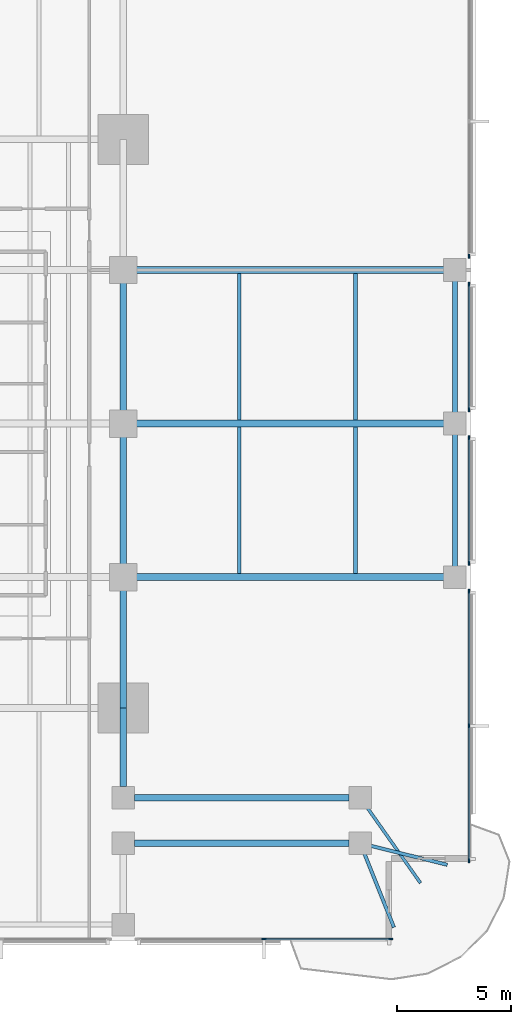
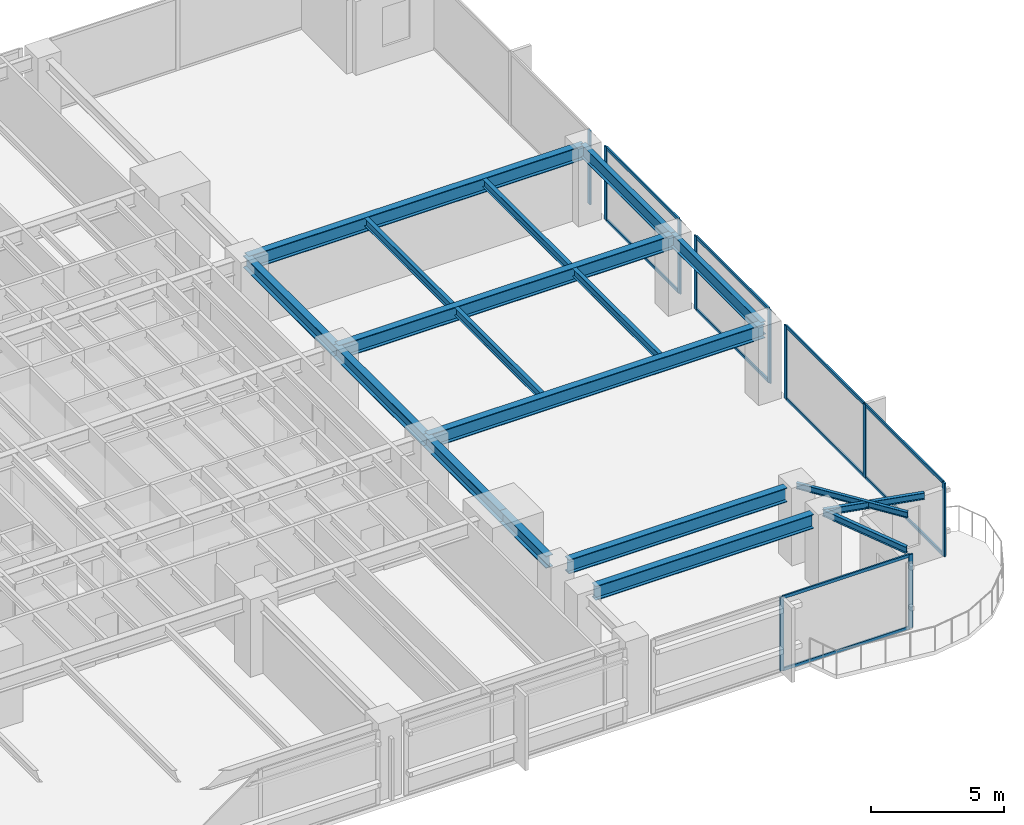
# One storey, part 4 of 15: 20 members, 18 beams, 5 elements without a shape of their own.
"""IFC4 building model written with IfcOpenShell, lengths in metres."""

from ifc_helpers import new_model, si_unit, direction, frame, origin, origin_2d, place, context, subcontext, project, spatial, rectangle, i_section, extrude, material, layer, layer_set, material_profile, profile_set, type_object, element, aggregate, save


model = new_model("IFC4")

# Units and contexts
model_context = context("Model", 3, precision=1e-05, world=origin(), true_north=direction((0.0, 1.0)))
body_context = subcontext(model_context, "Body", "Model", "MODEL_VIEW")
ifc_project = project(units=[si_unit("LENGTHUNIT", "METRE"), si_unit("AREAUNIT", "SQUARE_METRE"), si_unit("VOLUMEUNIT", "CUBIC_METRE"), si_unit("PLANEANGLEUNIT", "RADIAN"), si_unit("MASSUNIT", "GRAM", prefix="KILO")], contexts=[model_context])

# Site, building, storey
site_placement = place(None, origin())
site = spatial("IfcSite", under=ifc_project, at=site_placement, CompositionType="ELEMENT")
building_placement = place(site_placement, origin())
building = spatial("IfcBuilding", under=site, at=building_placement, Name="Kinhvarn Gate Tower", CompositionType="ELEMENT")
storey_placement = place(building_placement, frame((0.0, 0.0, 68.199951171875)))
storey = spatial("IfcBuildingStorey", under=building, at=storey_placement, Name="L17", CompositionType="ELEMENT", Elevation=68.199951171875)

# Curtain wall, members
ifc_material_1 = material(Name="Anodised aluminium AW-6063", Category="aluminium")
ifc_layer = layer(ifc_material_1, 0.179931640625)
ifc_layer_set = layer_set([ifc_layer], Name="Anodised aluminium AW-6063")
curtain_wall_type = type_object("IfcCurtainWallType", Name="CW-SYS-2", PredefinedType="NOTDEFINED", material=ifc_layer_set)
curtain_wall_1_placement = place(storey_placement, origin())
curtain_wall_1 = element("IfcCurtainWall", 1, at=curtain_wall_1_placement, inside=storey, type_object=curtain_wall_type, Name="Curtain Wall CW2 (L17)", PredefinedType="NOTDEFINED")
ifc_material_profile_1 = material_profile(ifc_material_1, rectangle(XDim=0.070068359375, YDim=0.179931640625, at=origin_2d()), Name="ALU 70x180")
ifc_profile_set_1 = profile_set([ifc_material_profile_1], Name="Anodised aluminium AW-6063")
member_type_1 = type_object("IfcMemberType", Name="CW-MUL-180", PredefinedType="MULLION", material=ifc_profile_set_1)
member_1_placement = place(storey_placement, frame((44.389892578125, 2.590087890625, 0.0), z_axis=(0.0, 0.0, 1.0), x_axis=(0.0, 1.0, 0.0)))
member_1 = element("IfcMember", 2, at=member_1_placement, type_object=member_type_1, Name="CW2 mullion 2", PredefinedType="MULLION", context=body_context, shape_type="SweptSolid", body=[
    extrude(rectangle(XDim=0.070068359375, YDim=0.179931640625, at=origin_2d()), origin(), (0.0, 0.0, 1.0), 3.3701171875),
])
member_2_placement = place(storey_placement, frame((49.965087890625, 2.590087890625, 0.0), z_axis=(0.0, 0.0, 1.0), x_axis=(0.0, 1.0, 0.0)))
member_2 = element("IfcMember", 3, at=member_2_placement, type_object=member_type_1, Name="CW2 mullion 3", PredefinedType="MULLION", context=body_context, shape_type="SweptSolid", body=[
    extrude(rectangle(XDim=0.070068359375, YDim=0.179931640625, at=origin_2d()), origin(), (0.0, 0.0, 1.0), 3.3701171875),
])

curtain_wall_2_placement = place(storey_placement, origin())
curtain_wall_2 = element("IfcCurtainWall", 4, at=curtain_wall_2_placement, inside=storey, type_object=curtain_wall_type, Name="Curtain Wall CW2 (L17)", PredefinedType="NOTDEFINED")
member_3_placement = place(storey_placement, frame((53.409912109375, 6.034912109375, 0.0), z_axis=(0.0, 0.0, 1.0), x_axis=(-1.0, 0.0, 0.0)))
member_3 = element("IfcMember", 5, at=member_3_placement, type_object=member_type_1, Name="CW2 mullion 1", PredefinedType="MULLION", context=body_context, shape_type="SweptSolid", body=[
    extrude(rectangle(XDim=0.070068359375, YDim=0.179931640625, at=origin_2d()), origin(), (0.0, 0.0, 1.0), 3.3701171875),
])
member_4_placement = place(storey_placement, frame((53.409912109375, 11.9599609375, 0.0), z_axis=(0.0, 0.0, 1.0), x_axis=(-1.0, 0.0, 0.0)))
member_4 = element("IfcMember", 6, at=member_4_placement, type_object=member_type_1, Name="CW2 mullion 2", PredefinedType="MULLION", context=body_context, shape_type="SweptSolid", body=[
    extrude(rectangle(XDim=0.070068359375, YDim=0.179931640625, at=origin_2d()), origin(), (0.0, 0.0, 1.0), 3.3701171875),
])
member_5_placement = place(storey_placement, frame((53.409912109375, 17.885009765625, 0.0), z_axis=(0.0, 0.0, 1.0), x_axis=(-1.0, 0.0, 0.0)))
member_5 = element("IfcMember", 7, at=member_5_placement, type_object=member_type_1, Name="CW2 mullion 3", PredefinedType="MULLION", context=body_context, shape_type="SweptSolid", body=[
    extrude(rectangle(XDim=0.070068359375, YDim=0.179931640625, at=origin_2d()), origin(), (0.0, 0.0, 1.0), 3.3701171875),
])

curtain_wall_3_placement = place(storey_placement, origin())
curtain_wall_3 = element("IfcCurtainWall", 8, at=curtain_wall_3_placement, inside=storey, type_object=curtain_wall_type, Name="Curtain Wall CW2 (L17)", PredefinedType="NOTDEFINED")
member_6_placement = place(storey_placement, frame((53.409912109375, 19.114990234375, 0.0), z_axis=(0.0, 0.0, 1.0), x_axis=(-1.0, 0.0, 0.0)))
member_6 = element("IfcMember", 9, at=member_6_placement, type_object=member_type_1, Name="CW2 mullion 1", PredefinedType="MULLION", context=body_context, shape_type="SweptSolid", body=[
    extrude(rectangle(XDim=0.070068359375, YDim=0.179931640625, at=origin_2d()), origin(), (0.0, 0.0, 1.0), 3.3701171875),
])
member_7_placement = place(storey_placement, frame((53.409912109375, 24.635009765625, 0.0), z_axis=(0.0, 0.0, 1.0), x_axis=(-1.0, 0.0, 0.0)))
member_7 = element("IfcMember", 10, at=member_7_placement, type_object=member_type_1, Name="CW2 mullion 2", PredefinedType="MULLION", context=body_context, shape_type="SweptSolid", body=[
    extrude(rectangle(XDim=0.070068359375, YDim=0.179931640625, at=origin_2d()), origin(), (0.0, 0.0, 1.0), 3.3701171875),
])

curtain_wall_4_placement = place(storey_placement, origin())
curtain_wall_4 = element("IfcCurtainWall", 11, at=curtain_wall_4_placement, inside=storey, type_object=curtain_wall_type, Name="Curtain Wall CW2 (L17)", PredefinedType="NOTDEFINED")
member_8_placement = place(storey_placement, frame((53.409912109375, 25.864990234375, 0.0), z_axis=(0.0, 0.0, 1.0), x_axis=(-1.0, 0.0, 0.0)))
member_8 = element("IfcMember", 12, at=member_8_placement, type_object=member_type_1, Name="CW2 mullion 1", PredefinedType="MULLION", context=body_context, shape_type="SweptSolid", body=[
    extrude(rectangle(XDim=0.070068359375, YDim=0.179931640625, at=origin_2d()), origin(), (0.0, 0.0, 1.0), 3.3701171875),
])
member_9_placement = place(storey_placement, frame((53.409912109375, 31.385009765625, 0.0), z_axis=(0.0, 0.0, 1.0), x_axis=(-1.0, 0.0, 0.0)))
member_9 = element("IfcMember", 13, at=member_9_placement, type_object=member_type_1, Name="CW2 mullion 2", PredefinedType="MULLION", context=body_context, shape_type="SweptSolid", body=[
    extrude(rectangle(XDim=0.070068359375, YDim=0.179931640625, at=origin_2d()), origin(), (0.0, 0.0, 1.0), 3.3701171875),
])

# Curtain wall, member
curtain_wall_5_placement = place(storey_placement, origin())
curtain_wall_5 = element("IfcCurtainWall", 14, at=curtain_wall_5_placement, inside=storey, type_object=curtain_wall_type, Name="Curtain Wall CW2 (L17)", PredefinedType="NOTDEFINED")
member_10_placement = place(storey_placement, frame((53.409912109375, 32.614990234375, 0.0), z_axis=(0.0, 0.0, 1.0), x_axis=(-1.0, 0.0, 0.0)))
member_10 = element("IfcMember", 15, at=member_10_placement, type_object=member_type_1, Name="CW2 mullion 1", PredefinedType="MULLION", context=body_context, shape_type="SweptSolid", body=[
    extrude(rectangle(XDim=0.070068359375, YDim=0.179931640625, at=origin_2d()), origin(), (0.0, 0.0, 1.0), 3.3701171875),
])
aggregate(curtain_wall_5, [member_10])

# Member
ifc_material_profile_2 = material_profile(ifc_material_1, rectangle(XDim=0.070068359375, YDim=0.139892578125, at=origin_2d()), Name="ALU 70x140")
ifc_profile_set_2 = profile_set([ifc_material_profile_2], Name="Anodised aluminium AW-6063")
member_type_2 = type_object("IfcMemberType", Name="CW-TRN-140", PredefinedType="USERDEFINED", material=ifc_profile_set_2)
member_11_placement = place(storey_placement, frame((44.425048828125, 2.590087890625, 0.03515625), z_axis=(1.0, 0.0, 0.0), x_axis=(0.0, 1.0, 0.0)))
member_11 = element("IfcMember", 16, at=member_11_placement, type_object=member_type_2, Name="CW2 transom 2.1", ObjectType="TRANSOM", PredefinedType="USERDEFINED", context=body_context, shape_type="SweptSolid", body=[
    extrude(rectangle(XDim=0.070068359375, YDim=0.139892578125, at=origin_2d()), origin(), (0.0, 0.0, 1.0), 5.5048828125),
])

member_12_placement = place(storey_placement, frame((44.425048828125, 2.590087890625, 3.3349609375), z_axis=(1.0, 0.0, 0.0), x_axis=(0.0, 1.0, 0.0)))
member_12 = element("IfcMember", 17, at=member_12_placement, type_object=member_type_2, Name="CW2 transom 2.2", ObjectType="TRANSOM", PredefinedType="USERDEFINED", context=body_context, shape_type="SweptSolid", body=[
    extrude(rectangle(XDim=0.070068359375, YDim=0.139892578125, at=origin_2d()), origin(), (0.0, 0.0, 1.0), 5.5048828125),
])

aggregate(curtain_wall_1, [member_1, member_2, member_11, member_12])

member_13_placement = place(storey_placement, frame((53.409912109375, 6.070068359375, 0.03515625), z_axis=(0.0, 1.0, 0.0), x_axis=(-1.0, 0.0, 0.0)))
member_13 = element("IfcMember", 18, at=member_13_placement, type_object=member_type_2, Name="CW2 transom 1.1", ObjectType="TRANSOM", PredefinedType="USERDEFINED", context=body_context, shape_type="SweptSolid", body=[
    extrude(rectangle(XDim=0.070068359375, YDim=0.139892578125, at=origin_2d()), origin(), (0.0, 0.0, 1.0), 5.85498046875),
])

member_14_placement = place(storey_placement, frame((53.409912109375, 6.070068359375, 3.3349609375), z_axis=(0.0, 1.0, 0.0), x_axis=(-1.0, 0.0, 0.0)))
member_14 = element("IfcMember", 19, at=member_14_placement, type_object=member_type_2, Name="CW2 transom 1.2", ObjectType="TRANSOM", PredefinedType="USERDEFINED", context=body_context, shape_type="SweptSolid", body=[
    extrude(rectangle(XDim=0.070068359375, YDim=0.139892578125, at=origin_2d()), origin(), (0.0, 0.0, 1.0), 5.85498046875),
])

member_15_placement = place(storey_placement, frame((53.409912109375, 11.9951171875, 0.03515625), z_axis=(0.0, 1.0, 0.0), x_axis=(-1.0, 0.0, 0.0)))
member_15 = element("IfcMember", 20, at=member_15_placement, type_object=member_type_2, Name="CW2 transom 2.1", ObjectType="TRANSOM", PredefinedType="USERDEFINED", context=body_context, shape_type="SweptSolid", body=[
    extrude(rectangle(XDim=0.070068359375, YDim=0.139892578125, at=origin_2d()), origin(), (0.0, 0.0, 1.0), 5.85498046875),
])

member_16_placement = place(storey_placement, frame((53.409912109375, 11.9951171875, 3.3349609375), z_axis=(0.0, 1.0, 0.0), x_axis=(-1.0, 0.0, 0.0)))
member_16 = element("IfcMember", 21, at=member_16_placement, type_object=member_type_2, Name="CW2 transom 2.2", ObjectType="TRANSOM", PredefinedType="USERDEFINED", context=body_context, shape_type="SweptSolid", body=[
    extrude(rectangle(XDim=0.070068359375, YDim=0.139892578125, at=origin_2d()), origin(), (0.0, 0.0, 1.0), 5.85498046875),
])

aggregate(curtain_wall_2, [member_3, member_4, member_5, member_13, member_14, member_15, member_16])

member_17_placement = place(storey_placement, frame((53.409912109375, 19.14990234375, 0.03515625), z_axis=(0.0, 1.0, 0.0), x_axis=(-1.0, 0.0, 0.0)))
member_17 = element("IfcMember", 22, at=member_17_placement, type_object=member_type_2, Name="CW2 transom 1.1", ObjectType="TRANSOM", PredefinedType="USERDEFINED", context=body_context, shape_type="SweptSolid", body=[
    extrude(rectangle(XDim=0.070068359375, YDim=0.139892578125, at=origin_2d()), origin(), (0.0, 0.0, 1.0), 5.4501953125),
])

member_18_placement = place(storey_placement, frame((53.409912109375, 19.14990234375, 3.3349609375), z_axis=(0.0, 1.0, 0.0), x_axis=(-1.0, 0.0, 0.0)))
member_18 = element("IfcMember", 23, at=member_18_placement, type_object=member_type_2, Name="CW2 transom 1.2", ObjectType="TRANSOM", PredefinedType="USERDEFINED", context=body_context, shape_type="SweptSolid", body=[
    extrude(rectangle(XDim=0.070068359375, YDim=0.139892578125, at=origin_2d()), origin(), (0.0, 0.0, 1.0), 5.4501953125),
])

aggregate(curtain_wall_3, [member_6, member_7, member_17, member_18])

member_19_placement = place(storey_placement, frame((53.409912109375, 25.89990234375, 0.03515625), z_axis=(0.0, 1.0, 0.0), x_axis=(-1.0, 0.0, 0.0)))
member_19 = element("IfcMember", 24, at=member_19_placement, type_object=member_type_2, Name="CW2 transom 1.1", ObjectType="TRANSOM", PredefinedType="USERDEFINED", context=body_context, shape_type="SweptSolid", body=[
    extrude(rectangle(XDim=0.070068359375, YDim=0.139892578125, at=origin_2d()), origin(), (0.0, 0.0, 1.0), 5.4501953125),
])

member_20_placement = place(storey_placement, frame((53.409912109375, 25.89990234375, 3.3349609375), z_axis=(0.0, 1.0, 0.0), x_axis=(-1.0, 0.0, 0.0)))
member_20 = element("IfcMember", 25, at=member_20_placement, type_object=member_type_2, Name="CW2 transom 1.2", ObjectType="TRANSOM", PredefinedType="USERDEFINED", context=body_context, shape_type="SweptSolid", body=[
    extrude(rectangle(XDim=0.070068359375, YDim=0.139892578125, at=origin_2d()), origin(), (0.0, 0.0, 1.0), 5.4501953125),
])

aggregate(curtain_wall_4, [member_8, member_9, member_19, member_20])

# Beams
ifc_material_2 = material(Name="Steel S355", Category="steel")
ifc_material_profile_3 = material_profile(ifc_material_2, i_section(OverallWidth=0.300048828125, OverallDepth=0.550048828125, WebThickness=0.014892578125, FlangeThickness=0.029052734375, at=origin_2d()), Name="HEB 550")
ifc_profile_set_3 = profile_set([ifc_material_profile_3], Name="Steel S355")
beam_type_1 = type_object("IfcBeamType", Name="STL-HEB550", PredefinedType="BEAM", material=ifc_profile_set_3)
beam_1_placement = place(storey_placement, frame((38.199951171875, 9.284912109375, 3.094970703125), z_axis=(0.0, 1.0, 0.0), x_axis=(-1.0, 0.0, 0.0)))
element("IfcBeam", 26, at=beam_1_placement, inside=storey, type_object=beam_type_1, Name="Floor Beam PG-15 (L17 MCE-S-A2)", PredefinedType="BEAM", context=body_context, shape_type="SweptSolid", body=[
    extrude(i_section(OverallWidth=0.300048828125, OverallDepth=0.550048828125, WebThickness=0.014892578125, FlangeThickness=0.029052734375, at=origin_2d()), origin(), (0.0, 0.0, 1.0), 3.465087890625),
])
beam_2_placement = place(storey_placement, frame((38.199951171875, 12.75, 3.094970703125), z_axis=(0.0, 1.0, 0.0), x_axis=(-1.0, 0.0, 0.0)))
element("IfcBeam", 27, at=beam_2_placement, inside=storey, type_object=beam_type_1, Name="Floor Beam PG-15 (L17 MG-E-12)", PredefinedType="BEAM", context=body_context, shape_type="SweptSolid", body=[
    extrude(i_section(OverallWidth=0.300048828125, OverallDepth=0.550048828125, WebThickness=0.014892578125, FlangeThickness=0.029052734375, at=origin_2d()), origin(), (0.0, 0.0, 1.0), 5.75),
])
for number, where, z_axis, x_axis, name in (
    (28, (38.199951171875, 18.5, 3.094970703125), (0.0, 1.0, 0.0), (-1.0, 0.0, 0.0), "Floor Beam PG-15 (L17 MG-E-18)"),
    (29, (38.199951171875, 25.25, 3.094970703125), (0.0, 1.0, 0.0), (-1.0, 0.0, 0.0), "Floor Beam PG-15 (L17 MG-E-25)"),
):
    element("IfcBeam", number, at=place(storey_placement, frame(where, z_axis=z_axis, x_axis=x_axis)), inside=storey, type_object=beam_type_1, Name=name, PredefinedType="BEAM", context=body_context, shape_type="SweptSolid", body=[
        extrude(i_section(OverallWidth=0.300048828125, OverallDepth=0.550048828125, WebThickness=0.014892578125, FlangeThickness=0.029052734375, at=origin_2d()), origin(), (0.0, 0.0, 1.0), 6.75),
    ])
ifc_material_profile_4 = material_profile(ifc_material_2, i_section(OverallWidth=0.300048828125, OverallDepth=0.64990234375, WebThickness=0.01611328125, FlangeThickness=0.031005859375, at=origin_2d()), Name="HEB 650")
ifc_profile_set_4 = profile_set([ifc_material_profile_4], Name="Steel S355")
beam_type_2 = type_object("IfcBeamType", Name="STL-HEB650", PredefinedType="BEAM", material=ifc_profile_set_4)
for number, where, z_axis, x_axis, name in (
    (30, (38.68505859375, 8.800048828125, 3.045166015625), (1.0, 0.0, 0.0), (0.0, 1.0, 0.0), "Floor Beam PG-17 (L17 SP-SE1B)"),
    (31, (38.68505859375, 6.800048828125, 3.045166015625), (1.0, 0.0, 0.0), (0.0, 1.0, 0.0), "Floor Beam PG-17 (L17 SP-SE1A)"),
):
    element("IfcBeam", number, at=place(storey_placement, frame(where, z_axis=z_axis, x_axis=x_axis)), inside=storey, type_object=beam_type_2, Name=name, PredefinedType="BEAM", context=body_context, shape_type="SweptSolid", body=[
        extrude(i_section(OverallWidth=0.300048828125, OverallDepth=0.64990234375, WebThickness=0.01611328125, FlangeThickness=0.031005859375, at=origin_2d()), origin(), (0.0, 0.0, 1.0), 9.449951171875),
    ])
for number, where, z_axis, x_axis, name in (
    (32, (38.199951171875, 18.5, 3.045166015625), (1.0, 0.0, 0.0), (0.0, 1.0, 0.0), "Floor Beam PG-17 (L17 EW2-Y18)"),
    (33, (38.199951171875, 25.25, 3.045166015625), (1.0, 0.0, 0.0), (0.0, 1.0, 0.0), "Floor Beam PG-17 (L17 EW2-Y25)"),
    (34, (38.199951171875, 32.0, 3.045166015625), (1.0, 0.0, 0.0), (0.0, 1.0, 0.0), "Floor Beam PG-17 (L17 EW2-Y32)"),
):
    element("IfcBeam", number, at=place(storey_placement, frame(where, z_axis=z_axis, x_axis=x_axis)), inside=storey, type_object=beam_type_2, Name=name, PredefinedType="BEAM", context=body_context, shape_type="SweptSolid", body=[
        extrude(i_section(OverallWidth=0.300048828125, OverallDepth=0.64990234375, WebThickness=0.01611328125, FlangeThickness=0.031005859375, at=origin_2d()), origin(), (0.0, 0.0, 1.0), 14.580078125),
    ])
ifc_material_profile_5 = material_profile(ifc_material_2, i_section(OverallWidth=0.135009765625, OverallDepth=0.27001953125, WebThickness=0.006591796875, FlangeThickness=0.01025390625, at=origin_2d()), Name="IPE 270")
ifc_profile_set_5 = profile_set([ifc_material_profile_5], Name="Steel S355")
beam_type_3 = type_object("IfcBeamType", Name="STL-IPE270", PredefinedType="JOIST", material=ifc_profile_set_5)
beam_3_placement = place(storey_placement, frame((48.6201171875, 8.800048828125, 3.235107421875), z_axis=(0.57709644225, -0.81667600451, 0.0), x_axis=(0.81667600451, 0.57709644225, 0.0)))
element("IfcBeam", 35, at=beam_3_placement, inside=storey, type_object=beam_type_3, Name="Floor Joist SB-01 (L17 BAL-B3-L18)", PredefinedType="JOIST", context=body_context, shape_type="SweptSolid", body=[
    extrude(i_section(OverallWidth=0.135009765625, OverallDepth=0.27001953125, WebThickness=0.006591796875, FlangeThickness=0.01025390625, at=origin_2d()), origin(), (0.0, 0.0, 1.0), 4.591796875),
])
ifc_material_profile_6 = material_profile(ifc_material_2, i_section(OverallWidth=0.14990234375, OverallDepth=0.300048828125, WebThickness=0.007080078125, FlangeThickness=0.0107421875, at=origin_2d()), Name="IPE 300")
ifc_profile_set_6 = profile_set([ifc_material_profile_6], Name="Steel S355")
beam_type_4 = type_object("IfcBeamType", Name="STL-IPE300", PredefinedType="JOIST", material=ifc_profile_set_6)
beam_4_placement = place(storey_placement, frame((48.6201171875, 6.800048828125, 3.219970703125), z_axis=(0.97058851083, -0.240744558911, 0.0), x_axis=(0.240744558911, 0.97058851083, 0.0)))
element("IfcBeam", 36, at=beam_4_placement, inside=storey, type_object=beam_type_4, Name="Floor Joist SB-02 (L17 BAL-B1-L18)", PredefinedType="JOIST", context=body_context, shape_type="SweptSolid", body=[
    extrude(i_section(OverallWidth=0.14990234375, OverallDepth=0.300048828125, WebThickness=0.007080078125, FlangeThickness=0.0107421875, at=origin_2d()), origin(), (0.0, 0.0, 1.0), 3.94580078125),
])
beam_5_placement = place(storey_placement, frame((48.6201171875, 6.800048828125, 3.219970703125), z_axis=(0.371390676354, -0.928476690885, 0.0), x_axis=(0.928476690885, 0.371390676354, 0.0)))
element("IfcBeam", 37, at=beam_5_placement, inside=storey, type_object=beam_type_4, Name="Floor Joist SB-02 (L17 BAL-B2-L18)", PredefinedType="JOIST", context=body_context, shape_type="SweptSolid", body=[
    extrude(i_section(OverallWidth=0.14990234375, OverallDepth=0.300048828125, WebThickness=0.007080078125, FlangeThickness=0.0107421875, at=origin_2d()), origin(), (0.0, 0.0, 1.0), 3.98486328125),
])
ifc_material_profile_7 = material_profile(ifc_material_2, i_section(OverallWidth=0.169921875, OverallDepth=0.360107421875, WebThickness=0.008056640625, FlangeThickness=0.0126953125, at=origin_2d()), Name="IPE 360")
ifc_profile_set_7 = profile_set([ifc_material_profile_7], Name="Steel S355")
beam_type_5 = type_object("IfcBeamType", Name="STL-IPE360", PredefinedType="JOIST", material=ifc_profile_set_7)
for number, where, z_axis, x_axis, name in (
    (38, (43.300048828125, 18.64990234375, 3.18994140625), (0.0, 1.0, 0.0), (-1.0, 0.0, 0.0), "Floor Joist SB-04 (L17 JC-X433-1)"),
    (39, (43.300048828125, 25.39990234375, 3.18994140625), (0.0, 1.0, 0.0), (-1.0, 0.0, 0.0), "Floor Joist SB-04 (L17 JC-X433-2)"),
    (40, (48.409912109375, 18.64990234375, 3.18994140625), (0.0, 1.0, 0.0), (-1.0, 0.0, 0.0), "Floor Joist SB-04 (L17 JC-X484-1)"),
    (41, (48.409912109375, 25.39990234375, 3.18994140625), (0.0, 1.0, 0.0), (-1.0, 0.0, 0.0), "Floor Joist SB-04 (L17 JC-X484-2)"),
):
    element("IfcBeam", number, at=place(storey_placement, frame(where, z_axis=z_axis, x_axis=x_axis)), inside=storey, type_object=beam_type_5, Name=name, PredefinedType="JOIST", context=body_context, shape_type="SweptSolid", body=[
        extrude(i_section(OverallWidth=0.169921875, OverallDepth=0.360107421875, WebThickness=0.008056640625, FlangeThickness=0.0126953125, at=origin_2d()), origin(), (0.0, 0.0, 1.0), 6.4501953125),
    ])
ifc_material_profile_8 = material_profile(ifc_material_2, i_section(OverallWidth=0.219970703125, OverallDepth=0.60009765625, WebThickness=0.011962890625, FlangeThickness=0.01904296875, at=origin_2d()), Name="IPE 600")
ifc_profile_set_8 = profile_set([ifc_material_profile_8], Name="Steel S355")
beam_type_6 = type_object("IfcBeamType", Name="STL-IPE600", PredefinedType="SPANDREL", material=ifc_profile_set_8)
for number, where, z_axis, x_axis, name in (
    (42, (52.780029296875, 18.5, 3.070068359375), (0.0, 1.0, 0.0), (-1.0, 0.0, 0.0), "Floor Spandrel SB-09 (L17 SP-E2)"),
    (43, (52.780029296875, 25.25, 3.070068359375), (0.0, 1.0, 0.0), (-1.0, 0.0, 0.0), "Floor Spandrel SB-09 (L17 SP-E3)"),
):
    element("IfcBeam", number, at=place(storey_placement, frame(where, z_axis=z_axis, x_axis=x_axis)), inside=storey, type_object=beam_type_6, Name=name, PredefinedType="SPANDREL", context=body_context, shape_type="SweptSolid", body=[
        extrude(i_section(OverallWidth=0.219970703125, OverallDepth=0.60009765625, WebThickness=0.011962890625, FlangeThickness=0.01904296875, at=origin_2d()), origin(), (0.0, 0.0, 1.0), 6.75),
    ])

save(model, "model.ifc")
